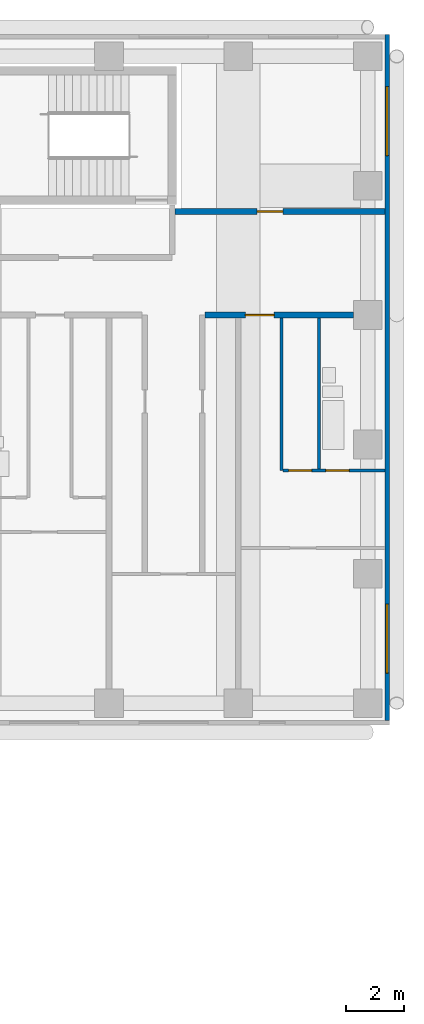
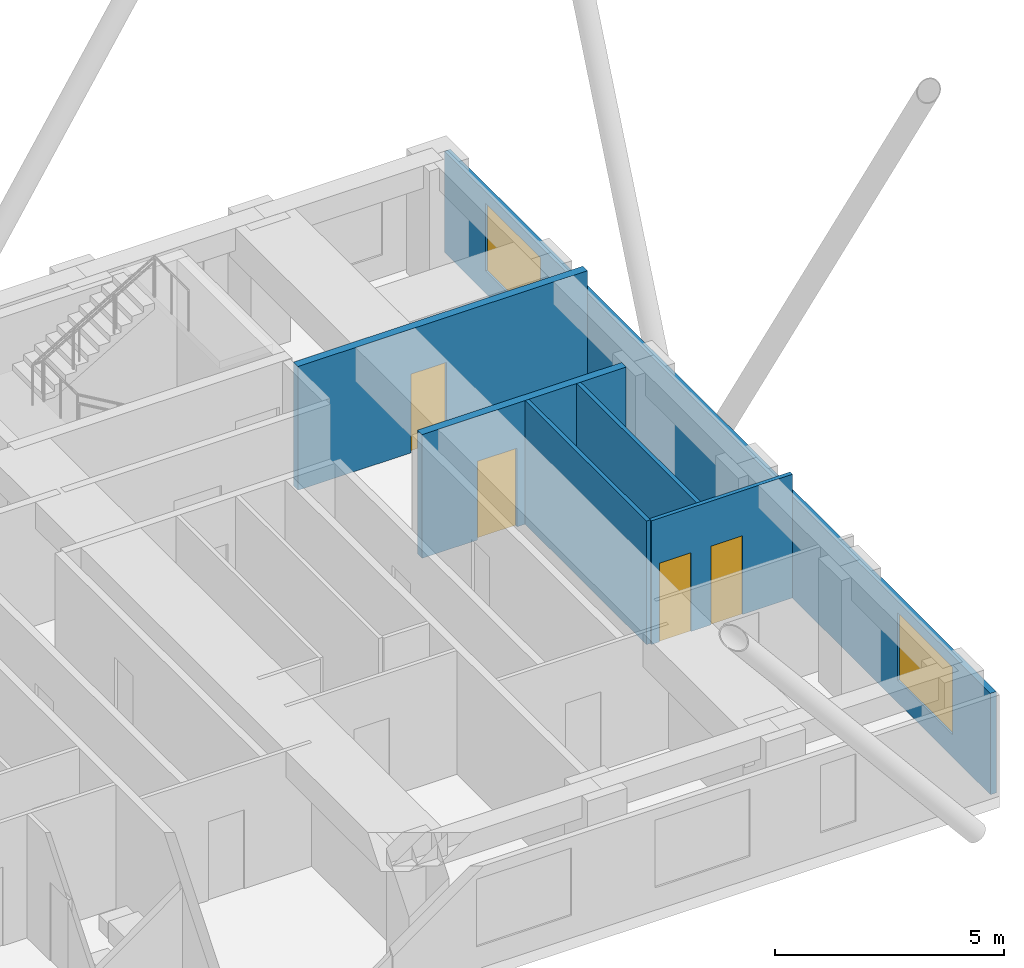
# One storey, part 10 of 13: 6 walls, 4 doors, 2 windows, 6 openings.
"""IFC4 building model written with IfcOpenShell, lengths in metres."""

from ifc_helpers import new_model, si_unit, direction, frame, frame_2d, origin, place, context, subcontext, project, spatial, rectangle, extrude, material, layer, layer_set, type_object, element, fill, save


model = new_model("IFC4")

# Units and contexts
model_context = context("Model", 3, precision=1e-05, world=origin(), true_north=direction((0.0, 1.0)))
body_context = subcontext(model_context, "Body", "Model", "MODEL_VIEW")
ifc_project = project(units=[si_unit("LENGTHUNIT", "METRE"), si_unit("AREAUNIT", "SQUARE_METRE"), si_unit("VOLUMEUNIT", "CUBIC_METRE"), si_unit("PLANEANGLEUNIT", "RADIAN"), si_unit("MASSUNIT", "GRAM", prefix="KILO")], contexts=[model_context])

# Site, building, storey
site_placement = place(None, origin())
site = spatial("IfcSite", under=ifc_project, at=site_placement, CompositionType="ELEMENT")
building_placement = place(site_placement, origin())
building = spatial("IfcBuilding", under=site, at=building_placement, Name="Firuza Court", CompositionType="ELEMENT")
storey_placement = place(building_placement, frame((0.0, 0.0, 119.60009765625)))
storey = spatial("IfcBuildingStorey", under=building, at=storey_placement, Name="L29", CompositionType="ELEMENT", Elevation=119.60009765625)

# Wall
ifc_material_1 = material(Name="Moisture-resistant gypsum board partition")
ifc_layer_1 = layer(ifc_material_1, 0.10009765625)
ifc_layer_set_1 = layer_set([ifc_layer_1], Name="Moisture-resistant gypsum board partition")
wall_type_1 = type_object("IfcWallType", Name="Bathroom partition 100", PredefinedType="PLUMBINGWALL", material=ifc_layer_set_1)
wall_1_placement = place(storey_placement, frame((65.800048828125, 44.14990234375, 0.0), z_axis=(0.0, 0.0, 1.0), x_axis=(0.0, 1.0, 0.0)))
element("IfcWall", 1, at=wall_1_placement, inside=storey, type_object=wall_type_1, Name="Bathroom partition 100 L29", PredefinedType="PLUMBINGWALL", context=body_context, shape_type="SweptSolid", body=[
    extrude(rectangle(XDim=5.25, YDim=0.10009765625, at=frame_2d((2.625, 0.0))), origin(), (0.0, 0.0, 1.0), 3.2998046875),
])

# Wall, opening, door
ifc_material_2 = material(Name="Blockwork, plastered both sides", Category="masonry")
ifc_layer_2 = layer(ifc_material_2, 0.199951171875)
ifc_layer_set_2 = layer_set([ifc_layer_2], Name="Blockwork, plastered both sides")
wall_type_2 = type_object("IfcWallType", Name="Corridor wall 200", PredefinedType="PARTITIONING", material=ifc_layer_set_2)
wall_2_placement = place(storey_placement, frame((61.85009765625, 49.5, 0.0), z_axis=(0.0, 0.0, 1.0), x_axis=(1.0, 0.0, 0.0)))
wall_2 = element("IfcWall", 2, at=wall_2_placement, inside=storey, type_object=wall_type_2, Name="Corridor wall 200 L29", PredefinedType="PARTITIONING", context=body_context, shape_type="SweptSolid", body=[
    extrude(rectangle(XDim=5.14990234375, YDim=0.199951171875, at=frame_2d((2.574951171875, 0.0))), origin(), (0.0, 0.0, 1.0), 3.2998046875),
])
opening_1_placement = place(wall_2_placement, frame((1.39990234375, 0.0, 0.0)))
opening_1 = element("IfcOpeningElement", 3, at=opening_1_placement, cuts=wall_2, Name="Opening D29070", PredefinedType="OPENING", context=body_context, shape_type="SweptSolid", body=[
    extrude(rectangle(XDim=1.0, YDim=2.10009765625, at=frame_2d((0.5, 1.050048828125))), frame((0.0, 0.11181640625, 0.0), z_axis=(0.0, -1.0, 0.0), x_axis=(1.0, 0.0, 0.0)), (0.0, 0.0, 1.0), 0.223876953125),
])
ifc_material_3 = material(Name="Timber door leaf in hardwood frame", Category="wood")
door_type_1 = type_object("IfcDoorType", Name="Flat entrance door 1000", OperationType="SINGLE_SWING_LEFT", PredefinedType="DOOR", material=ifc_material_3)
door_1_placement = place(opening_1_placement, origin())
door_1 = element("IfcDoor", 4, at=door_1_placement, inside=storey, type_object=door_type_1, Name="Flat entrance door", OperationType="SINGLE_SWING_RIGHT", OverallHeight=2.10009765625, OverallWidth=1.0, PredefinedType="DOOR", context=body_context, shape_type="SweptSolid", body=[
    extrude(rectangle(XDim=1.0, YDim=2.10009765625, at=frame_2d((0.5, 1.050048828125))), frame((0.0, 0.02490234375, 0.0), z_axis=(0.0, -1.0, 0.0), x_axis=(1.0, 0.0, 0.0)), (0.0, 0.0, 1.0), 0.050048828125),
])
fill(opening_1, door_1)

wall_3_placement = place(storey_placement, frame((60.800048828125, 53.10009765625, 0.0), z_axis=(0.0, 0.0, 1.0), x_axis=(1.0, 0.0, 0.0)))
wall_3 = element("IfcWall", 5, at=wall_3_placement, inside=storey, type_object=wall_type_2, Name="Corridor wall 200 L29", PredefinedType="PARTITIONING", context=body_context, shape_type="SweptSolid", body=[
    extrude(rectangle(XDim=7.300048828125, YDim=0.199951171875, at=frame_2d((3.64990234375, 0.0))), origin(), (0.0, 0.0, 1.0), 3.2998046875),
])
opening_2_placement = place(wall_3_placement, frame((2.85009765625, 0.0, 0.0)))
opening_2 = element("IfcOpeningElement", 6, at=opening_2_placement, cuts=wall_3, Name="Opening D29074", PredefinedType="OPENING", context=body_context, shape_type="SweptSolid", body=[
    extrude(rectangle(XDim=0.89990234375, YDim=2.10009765625, at=frame_2d((0.449951171875, 1.050048828125))), frame((0.0, 0.11181640625, 0.0), z_axis=(0.0, -1.0, 0.0), x_axis=(1.0, 0.0, 0.0)), (0.0, 0.0, 1.0), 0.223876953125),
])
ifc_material_4 = material(Name="Timber door leaf in hardwood frame", Category="wood")
door_type_2 = type_object("IfcDoorType", Name="Room door 900 EI 30", OperationType="SINGLE_SWING_LEFT", PredefinedType="DOOR", material=ifc_material_4)
door_2_placement = place(opening_2_placement, origin())
door_2 = element("IfcDoor", 7, at=door_2_placement, inside=storey, type_object=door_type_2, Name="Meeting room door", OperationType="SINGLE_SWING_LEFT", OverallHeight=2.10009765625, OverallWidth=0.89990234375, PredefinedType="DOOR", context=body_context, shape_type="SweptSolid", body=[
    extrude(rectangle(XDim=0.89990234375, YDim=2.10009765625, at=frame_2d((0.449951171875, 1.050048828125))), frame((0.0, 0.02490234375, 0.0), z_axis=(0.0, -1.0, 0.0), x_axis=(1.0, 0.0, 0.0)), (0.0, 0.0, 1.0), 0.050048828125),
])
fill(opening_2, door_2)

# Wall
ifc_material_5 = material(Name="Timber stud partition, plasterboard both sides", Category="wood")
ifc_layer_3 = layer(ifc_material_5, 0.10009765625)
ifc_layer_set_3 = layer_set([ifc_layer_3], Name="Timber stud partition, plasterboard both sides")
wall_type_3 = type_object("IfcWallType", Name="Partition wall 100", PredefinedType="PARTITIONING", material=ifc_layer_set_3)
wall_4_placement = place(storey_placement, frame((64.5, 44.10009765625, 0.0), z_axis=(0.0, 0.0, 1.0), x_axis=(0.0, 1.0, 0.0)))
element("IfcWall", 8, at=wall_4_placement, inside=storey, type_object=wall_type_3, Name="Partition wall 100 L29", PredefinedType="PARTITIONING", context=body_context, shape_type="SweptSolid", body=[
    extrude(rectangle(XDim=5.2998046875, YDim=0.10009765625, at=frame_2d((2.64990234375, 0.0))), origin(), (0.0, 0.0, 1.0), 3.2998046875),
])

# Wall, openings, doors
wall_5_placement = place(storey_placement, frame((64.550048828125, 44.10009765625, 0.0), z_axis=(0.0, 0.0, 1.0), x_axis=(1.0, 0.0, 0.0)))
wall_5 = element("IfcWall", 9, at=wall_5_placement, inside=storey, type_object=wall_type_3, Name="Partition wall 100 L29", PredefinedType="PARTITIONING", context=body_context, shape_type="SweptSolid", body=[
    extrude(rectangle(XDim=3.550048828125, YDim=0.10009765625, at=frame_2d((1.77490234375, 0.0))), origin(), (0.0, 0.0, 1.0), 3.2998046875),
])
opening_3_placement = place(wall_5_placement, frame((1.5, 0.0, 0.0)))
opening_3 = element("IfcOpeningElement", 10, at=opening_3_placement, cuts=wall_5, Name="Opening D29064", PredefinedType="OPENING", context=body_context, shape_type="SweptSolid", body=[
    extrude(rectangle(XDim=0.800048828125, YDim=2.10009765625, at=frame_2d((0.39990234375, 1.050048828125))), frame((0.0, 0.06201171875, 0.0), z_axis=(0.0, -1.0, 0.0), x_axis=(1.0, 0.0, 0.0)), (0.0, 0.0, 1.0), 0.1240234375),
])
opening_4_placement = place(wall_5_placement, frame((0.199951171875, 0.0, 0.0)))
opening_4 = element("IfcOpeningElement", 11, at=opening_4_placement, cuts=wall_5, Name="Opening D29065", PredefinedType="OPENING", context=body_context, shape_type="SweptSolid", body=[
    extrude(rectangle(XDim=0.800048828125, YDim=2.10009765625, at=frame_2d((0.39990234375, 1.050048828125))), frame((0.0, 0.06201171875, 0.0), z_axis=(0.0, -1.0, 0.0), x_axis=(1.0, 0.0, 0.0)), (0.0, 0.0, 1.0), 0.1240234375),
])
ifc_material_6 = material(Name="Timber door leaf in hardwood frame", Category="wood")
door_type_3 = type_object("IfcDoorType", Name="Bathroom door 800", OperationType="SINGLE_SWING_LEFT", PredefinedType="DOOR", material=ifc_material_6)
door_3_placement = place(opening_3_placement, origin())
door_3 = element("IfcDoor", 12, at=door_3_placement, inside=storey, type_object=door_type_3, Name="Bathroom door", OperationType="SINGLE_SWING_LEFT", OverallHeight=2.10009765625, OverallWidth=0.800048828125, PredefinedType="DOOR", context=body_context, shape_type="SweptSolid", body=[
    extrude(rectangle(XDim=0.800048828125, YDim=2.10009765625, at=frame_2d((0.39990234375, 1.050048828125))), frame((0.0, 0.02490234375, 0.0), z_axis=(0.0, -1.0, 0.0), x_axis=(1.0, 0.0, 0.0)), (0.0, 0.0, 1.0), 0.050048828125),
])
fill(opening_3, door_3)
ifc_material_7 = material(Name="Timber door leaf in hardwood frame", Category="wood")
door_type_4 = type_object("IfcDoorType", Name="Room door 800", OperationType="SINGLE_SWING_LEFT", PredefinedType="DOOR", material=ifc_material_7)
door_4_placement = place(opening_4_placement, origin())
door_4 = element("IfcDoor", 13, at=door_4_placement, inside=storey, type_object=door_type_4, Name="Kitchen door", OperationType="SINGLE_SWING_LEFT", OverallHeight=2.10009765625, OverallWidth=0.800048828125, PredefinedType="DOOR", context=body_context, shape_type="SweptSolid", body=[
    extrude(rectangle(XDim=0.800048828125, YDim=2.10009765625, at=frame_2d((0.39990234375, 1.050048828125))), frame((0.0, 0.02490234375, 0.0), z_axis=(0.0, -1.0, 0.0), x_axis=(1.0, 0.0, 0.0)), (0.0, 0.0, 1.0), 0.050048828125),
])
fill(opening_4, door_4)

# Wall, openings, windows
ifc_material_8 = material(Name="Ceramic tile", Category="ceramic")
ifc_layer_4 = layer(ifc_material_8, 0.02001953125)
ifc_material_9 = material(Name="Mineral wool insulation", Category="insulation")
ifc_layer_5 = layer(ifc_material_9, 0.050048828125)
ifc_material_10 = material(Name="Concrete C40/50 precast", Category="concrete")
ifc_layer_6 = layer(ifc_material_10, 0.080078125)
ifc_layer_set_4 = layer_set([ifc_layer_4, ifc_layer_5, ifc_layer_6], Name="Concrete C40/50 precast")
wall_type_4 = type_object("IfcWallType", Name="Precast cladding wall with turquoise TILE PANEL face 150", PredefinedType="STANDARD", material=ifc_layer_set_4)
wall_6_placement = place(storey_placement, frame((68.175048828125, 35.39990234375, 0.0), z_axis=(0.0, 0.0, 1.0), x_axis=(0.0, 1.0, 0.0)))
wall_6 = element("IfcWall", 14, at=wall_6_placement, inside=storey, type_object=wall_type_4, Name="Facade wall L29 E", PredefinedType="STANDARD", context=body_context, shape_type="SweptSolid", body=[
    extrude(rectangle(XDim=23.85009765625, YDim=0.14990234375, at=frame_2d((11.925048828125, 0.0))), origin(), (0.0, 0.0, 1.0), 2.699951171875),
])
opening_5_placement = place(wall_6_placement, frame((1.64990234375, 0.0, 0.60009765625)))
opening_5 = element("IfcOpeningElement", 15, at=opening_5_placement, cuts=wall_6, Name="Opening W1", PredefinedType="OPENING", context=body_context, shape_type="SweptSolid", body=[
    extrude(rectangle(XDim=2.39990234375, YDim=1.800048828125, at=frame_2d((1.199951171875, 0.89990234375))), frame((0.0, 0.0869140625, 0.0), z_axis=(0.0, -1.0, 0.0), x_axis=(1.0, 0.0, 0.0)), (0.0, 0.0, 1.0), 0.173828125),
])
opening_6_placement = place(wall_6_placement, frame((19.64990234375, 0.0, 0.60009765625)))
opening_6 = element("IfcOpeningElement", 16, at=opening_6_placement, cuts=wall_6, Name="Opening W1", PredefinedType="OPENING", context=body_context, shape_type="SweptSolid", body=[
    extrude(rectangle(XDim=2.39990234375, YDim=1.800048828125, at=frame_2d((1.199951171875, 0.89990234375))), frame((0.0, 0.0869140625, 0.0), z_axis=(0.0, -1.0, 0.0), x_axis=(1.0, 0.0, 0.0)), (0.0, 0.0, 1.0), 0.173828125),
])
ifc_material_11 = material(Name="Aluminium frame, triple clear glazing", Category="aluminium")
window_type = type_object("IfcWindowType", Name="Window W1 2400 x 1800", PartitioningType="SINGLE_PANEL", PredefinedType="WINDOW", material=ifc_material_11)
window_1_placement = place(opening_5_placement, origin())
window_1 = element("IfcWindow", 17, at=window_1_placement, inside=storey, type_object=window_type, Name="Window L29", OverallHeight=1.800048828125, OverallWidth=2.39990234375, PartitioningType="SINGLE_PANEL", PredefinedType="WINDOW", context=body_context, shape_type="SweptSolid", body=[
    extrude(rectangle(XDim=2.39990234375, YDim=1.800048828125, at=frame_2d((1.199951171875, 0.89990234375))), frame((0.0, 0.030029296875, 0.0), z_axis=(0.0, -1.0, 0.0), x_axis=(1.0, 0.0, 0.0)), (0.0, 0.0, 1.0), 0.06005859375),
])
fill(opening_5, window_1)
window_2_placement = place(opening_6_placement, origin())
window_2 = element("IfcWindow", 18, at=window_2_placement, inside=storey, type_object=window_type, Name="Window L29", OverallHeight=1.800048828125, OverallWidth=2.39990234375, PartitioningType="SINGLE_PANEL", PredefinedType="WINDOW", context=body_context, shape_type="SweptSolid", body=[
    extrude(rectangle(XDim=2.39990234375, YDim=1.800048828125, at=frame_2d((1.199951171875, 0.89990234375))), frame((0.0, 0.030029296875, 0.0), z_axis=(0.0, -1.0, 0.0), x_axis=(1.0, 0.0, 0.0)), (0.0, 0.0, 1.0), 0.06005859375),
])
fill(opening_6, window_2)

save(model, "model.ifc")
